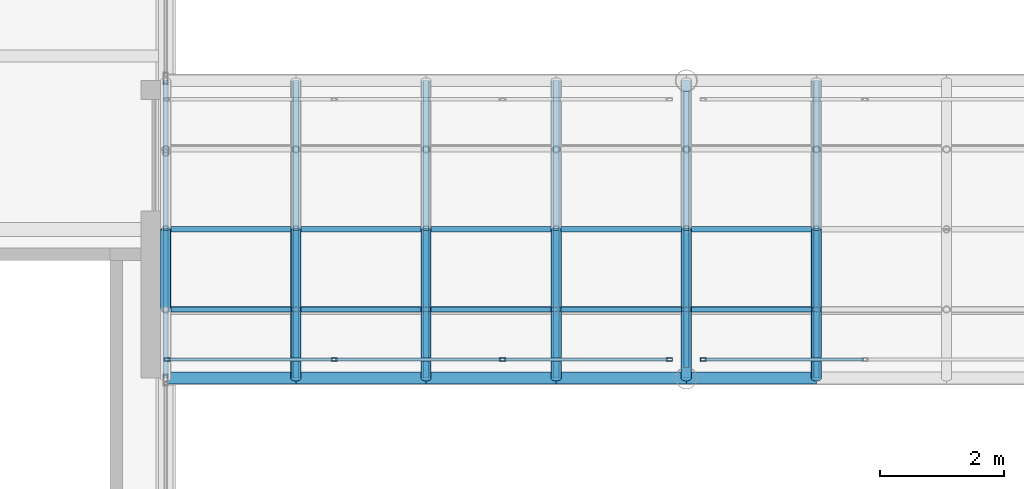
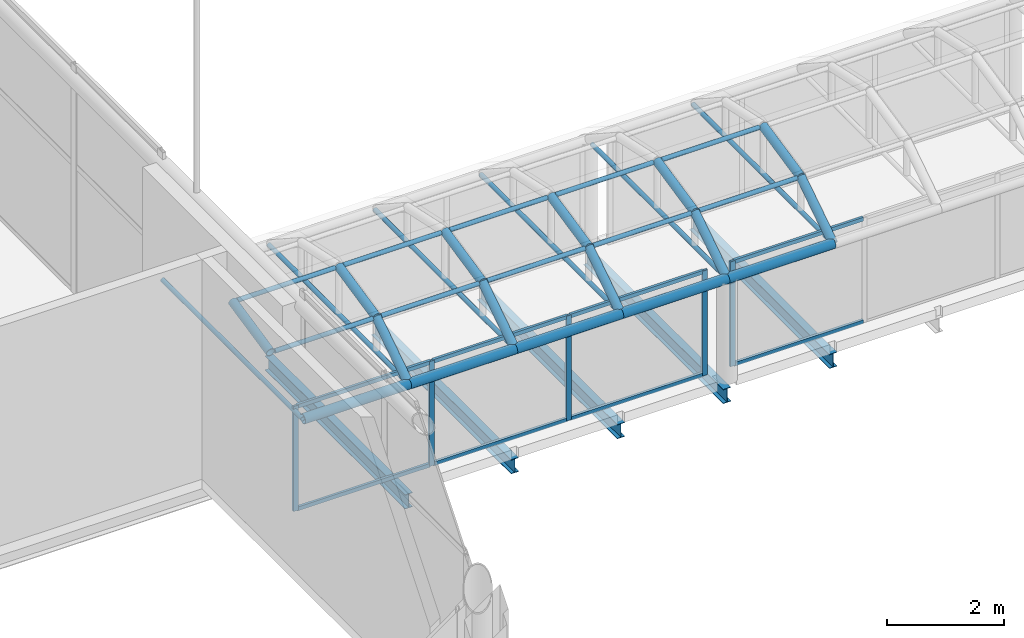
# One storey, part 34 of 167: 39 members, 11 beams, 2 elements without a shape of their own.
"""IFC4 building model written with IfcOpenShell, lengths in metres."""

from ifc_helpers import new_model, si_unit, direction, frame, origin, origin_2d, place, context, subcontext, project, spatial, hollow_rectangle, hollow_circle, i_section, extrude, material, material_profile, profile_set, type_object, element, aggregate, save


model = new_model("IFC4")

# Units and contexts
model_context = context("Model", 3, precision=1e-05, world=origin(), true_north=direction((0.0, 1.0)))
body_context = subcontext(model_context, "Body", "Model", "MODEL_VIEW")
ifc_project = project(units=[si_unit("LENGTHUNIT", "METRE"), si_unit("AREAUNIT", "SQUARE_METRE"), si_unit("VOLUMEUNIT", "CUBIC_METRE"), si_unit("PLANEANGLEUNIT", "RADIAN"), si_unit("MASSUNIT", "GRAM", prefix="KILO")], contexts=[model_context])

# Site, building, storey
site_placement = place(None, origin())
site = spatial("IfcSite", under=ifc_project, at=site_placement, CompositionType="ELEMENT")
building_placement = place(site_placement, origin())
building = spatial("IfcBuilding", under=site, at=building_placement, Name="Catenary Quay Ferry Terminal", CompositionType="ELEMENT")
storey_placement = place(building_placement, frame((0.0, 0.0, 6.0)))
storey = spatial("IfcBuildingStorey", under=building, at=storey_placement, Name="L01", CompositionType="ELEMENT", Elevation=6.0)

# Beams
ifc_material_1 = material(Name="Steel S355", Category="steel")
ifc_material_profile_1 = material_profile(ifc_material_1, i_section(OverallWidth=0.14990234375, OverallDepth=0.300048828125, WebThickness=0.007080078125, FlangeThickness=0.0107421875, at=origin_2d()), Name="IPE 300")
ifc_profile_set_1 = profile_set([ifc_material_profile_1], Name="Steel S355")
beam_type_1 = type_object("IfcBeamType", Name="B2 IPE 300", PredefinedType="BEAM", material=ifc_profile_set_1)
for number, where, z_axis, x_axis, name in (
    (1, (94.5, 73.199951171875, -0.35009765625), (0.0, 1.0, 0.0), (-1.0, 0.0, 0.0), "Beam B2-001"),
    (2, (96.60009765625, 73.199951171875, -0.35009765625), (0.0, 1.0, 0.0), (-1.0, 0.0, 0.0), "Beam B2-002"),
    (3, (98.699951171875, 73.199951171875, -0.35009765625), (0.0, 1.0, 0.0), (-1.0, 0.0, 0.0), "Beam B2-003"),
    (4, (100.800048828125, 73.199951171875, -0.35009765625), (0.0, 1.0, 0.0), (-1.0, 0.0, 0.0), "Beam B2-004"),
    (5, (102.89990234375, 73.199951171875, -0.35009765625), (0.0, 1.0, 0.0), (-1.0, 0.0, 0.0), "Beam B2-005"),
):
    element("IfcBeam", number, at=place(storey_placement, frame(where, z_axis=z_axis, x_axis=x_axis)), inside=storey, type_object=beam_type_1, Name=name, PredefinedType="BEAM", context=body_context, shape_type="SweptSolid", body=[
        extrude(i_section(OverallWidth=0.14990234375, OverallDepth=0.300048828125, WebThickness=0.007080078125, FlangeThickness=0.0107421875, at=origin_2d()), origin(), (0.0, 0.0, 1.0), 4.800048828125),
    ])

# Curtain wall, members
ifc_material_2 = material(Name="Aluminium and glass", Category="aluminium")
curtain_wall_type = type_object("IfcCurtainWallType", Name="CWB", PredefinedType="NOTDEFINED", material=ifc_material_2)
curtain_wall_1_placement = place(storey_placement, origin())
curtain_wall_1 = element("IfcCurtainWall", 6, at=curtain_wall_1_placement, inside=storey, type_object=curtain_wall_type, Name="BB1 curtain wall CW56", PredefinedType="NOTDEFINED")
ifc_material_3 = material(Name="Aluminium", Category="aluminium")
ifc_material_profile_2 = material_profile(ifc_material_3, hollow_rectangle(XDim=0.050048828125, YDim=0.10009765625, WallThickness=0.0048828125, at=origin_2d()), Name="MU1")
ifc_profile_set_2 = profile_set([ifc_material_profile_2], Name="Aluminium")
member_type_1 = type_object("IfcMemberType", Name="MU1", PredefinedType="MULLION", material=ifc_profile_set_2)
member_1_placement = place(storey_placement, frame((92.425048828125, 73.5, 0.0), z_axis=(0.0, 0.0, 1.0), x_axis=(0.0, 1.0, 0.0)))
member_1 = element("IfcMember", 7, at=member_1_placement, type_object=member_type_1, Name="CW56 mullion 1", PredefinedType="MULLION", context=body_context, shape_type="SweptSolid", body=[
    extrude(hollow_rectangle(XDim=0.050048828125, YDim=0.10009765625, WallThickness=0.0048828125, at=origin_2d()), origin(), (0.0, 0.0, 1.0), 2.195068359375),
])
member_2_placement = place(storey_placement, frame((95.11669921875, 73.5, 0.0), z_axis=(0.0, 0.0, 1.0), x_axis=(0.0, 1.0, 0.0)))
member_2 = element("IfcMember", 8, at=member_2_placement, type_object=member_type_1, Name="CW56 mullion 2", PredefinedType="MULLION", context=body_context, shape_type="SweptSolid", body=[
    extrude(hollow_rectangle(XDim=0.050048828125, YDim=0.10009765625, WallThickness=0.0048828125, at=origin_2d()), origin(), (0.0, 0.0, 1.0), 2.195068359375),
])
member_3_placement = place(storey_placement, frame((97.833251953125, 73.5, 0.0), z_axis=(0.0, 0.0, 1.0), x_axis=(0.0, 1.0, 0.0)))
member_3 = element("IfcMember", 9, at=member_3_placement, type_object=member_type_1, Name="CW56 mullion 3", PredefinedType="MULLION", context=body_context, shape_type="SweptSolid", body=[
    extrude(hollow_rectangle(XDim=0.050048828125, YDim=0.10009765625, WallThickness=0.0048828125, at=origin_2d()), origin(), (0.0, 0.0, 1.0), 2.195068359375),
])
member_4_placement = place(storey_placement, frame((100.52490234375, 73.5, 0.0), z_axis=(0.0, 0.0, 1.0), x_axis=(0.0, 1.0, 0.0)))
member_4 = element("IfcMember", 10, at=member_4_placement, type_object=member_type_1, Name="CW56 mullion 4", PredefinedType="MULLION", context=body_context, shape_type="SweptSolid", body=[
    extrude(hollow_rectangle(XDim=0.050048828125, YDim=0.10009765625, WallThickness=0.0048828125, at=origin_2d()), origin(), (0.0, 0.0, 1.0), 2.195068359375),
])

# Curtain wall, member
curtain_wall_2_placement = place(storey_placement, origin())
curtain_wall_2 = element("IfcCurtainWall", 11, at=curtain_wall_2_placement, inside=storey, type_object=curtain_wall_type, Name="BB1 curtain wall CW57", PredefinedType="NOTDEFINED")
member_5_placement = place(storey_placement, frame((101.074951171875, 73.5, 0.0), z_axis=(0.0, 0.0, 1.0), x_axis=(0.0, 1.0, 0.0)))
member_5 = element("IfcMember", 12, at=member_5_placement, type_object=member_type_1, Name="CW57 mullion 1", PredefinedType="MULLION", context=body_context, shape_type="SweptSolid", body=[
    extrude(hollow_rectangle(XDim=0.050048828125, YDim=0.10009765625, WallThickness=0.0048828125, at=origin_2d()), origin(), (0.0, 0.0, 1.0), 2.195068359375),
])

# Members
ifc_material_4 = material(Name="Steel S355", Category="steel")
ifc_material_profile_3 = material_profile(ifc_material_4, hollow_circle(Radius=0.04443359375, WallThickness=0.0048828125, at=origin_2d()), Name="CHS 88.9x5")
ifc_profile_set_3 = profile_set([ifc_material_profile_3], Name="Steel S355")
member_type_2 = type_object("IfcMemberType", Name="PU3 CHS 88.9x5", PredefinedType="PURLIN", material=ifc_profile_set_3)
for number, where, z_axis, x_axis, name in (
    (13, (92.47998046875, 74.30810546875, 2.821044921875), (1.0, 0.0, 0.0), (0.0, 1.0, 0.0), "Purlin PU-RB1-01-01"),
    (14, (92.47998046875, 75.60009765625, 3.10009765625), (1.0, 0.0, 0.0), (0.0, 1.0, 0.0), "Purlin PU-RB1-01-02"),
    (15, (94.580078125, 74.30810546875, 2.821044921875), (1.0, 0.0, 0.0), (0.0, 1.0, 0.0), "Purlin PU-RB1-02-01"),
    (16, (94.580078125, 75.60009765625, 3.10009765625), (1.0, 0.0, 0.0), (0.0, 1.0, 0.0), "Purlin PU-RB1-02-02"),
):
    element("IfcMember", number, at=place(storey_placement, frame(where, z_axis=z_axis, x_axis=x_axis)), inside=storey, type_object=member_type_2, Name=name, PredefinedType="PURLIN", context=body_context, shape_type="SweptSolid", body=[
        extrude(hollow_circle(Radius=0.04443359375, WallThickness=0.0048828125, at=origin_2d()), origin(), (0.0, 0.0, 1.0), 1.93994140625),
    ])
for number, where, z_axis, x_axis, name in (
    (17, (96.679931640625, 74.30810546875, 2.821044921875), (1.0, 0.0, 0.0), (0.0, 1.0, 0.0), "Purlin PU-RB1-03-01"),
    (18, (96.679931640625, 75.60009765625, 3.10009765625), (1.0, 0.0, 0.0), (0.0, 1.0, 0.0), "Purlin PU-RB1-03-02"),
):
    element("IfcMember", number, at=place(storey_placement, frame(where, z_axis=z_axis, x_axis=x_axis)), inside=storey, type_object=member_type_2, Name=name, PredefinedType="PURLIN", context=body_context, shape_type="SweptSolid", body=[
        extrude(hollow_circle(Radius=0.04443359375, WallThickness=0.0048828125, at=origin_2d()), origin(), (0.0, 0.0, 1.0), 1.940185546875),
    ])
for number, where, z_axis, x_axis, name in (
    (19, (98.780029296875, 74.30810546875, 2.821044921875), (1.0, 0.0, 0.0), (0.0, 1.0, 0.0), "Purlin PU-RB1-04-01"),
    (20, (98.780029296875, 75.60009765625, 3.10009765625), (1.0, 0.0, 0.0), (0.0, 1.0, 0.0), "Purlin PU-RB1-04-02"),
):
    element("IfcMember", number, at=place(storey_placement, frame(where, z_axis=z_axis, x_axis=x_axis)), inside=storey, type_object=member_type_2, Name=name, PredefinedType="PURLIN", context=body_context, shape_type="SweptSolid", body=[
        extrude(hollow_circle(Radius=0.04443359375, WallThickness=0.0048828125, at=origin_2d()), origin(), (0.0, 0.0, 1.0), 1.93994140625),
    ])
for number, where, z_axis, x_axis, name in (
    (21, (100.8798828125, 74.30810546875, 2.821044921875), (1.0, 0.0, 0.0), (0.0, 1.0, 0.0), "Purlin PU-RB1-05-01"),
    (22, (100.8798828125, 75.60009765625, 3.10009765625), (1.0, 0.0, 0.0), (0.0, 1.0, 0.0), "Purlin PU-RB1-05-02"),
):
    element("IfcMember", number, at=place(storey_placement, frame(where, z_axis=z_axis, x_axis=x_axis)), inside=storey, type_object=member_type_2, Name=name, PredefinedType="PURLIN", context=body_context, shape_type="SweptSolid", body=[
        extrude(hollow_circle(Radius=0.04443359375, WallThickness=0.0048828125, at=origin_2d()), origin(), (0.0, 0.0, 1.0), 1.940185546875),
    ])

# Beams
ifc_material_5 = material(Name="Steel S355", Category="steel")
ifc_material_profile_4 = material_profile(ifc_material_5, hollow_circle(Radius=0.04443359375, WallThickness=0.0048828125, at=origin_2d()), Name="CHS 88.9x5")
ifc_profile_set_4 = profile_set([ifc_material_profile_4], Name="Steel S355")
beam_type_2 = type_object("IfcBeamType", Name="TB4 CHS 88.9x5", PredefinedType="BEAM", material=ifc_profile_set_4)
for number, where, z_axis, x_axis, name in (
    (23, (92.39990234375, 73.199951171875, 2.10009765625), (0.0, 1.0, 0.0), (-1.0, 0.0, 0.0), "tie beam RB1-01"),
    (24, (94.5, 73.199951171875, 2.10009765625), (0.0, 1.0, 0.0), (-1.0, 0.0, 0.0), "tie beam RB1-02"),
    (25, (96.60009765625, 73.199951171875, 2.10009765625), (0.0, 1.0, 0.0), (-1.0, 0.0, 0.0), "tie beam RB1-03"),
    (26, (98.699951171875, 73.199951171875, 2.10009765625), (0.0, 1.0, 0.0), (-1.0, 0.0, 0.0), "tie beam RB1-04"),
):
    element("IfcBeam", number, at=place(storey_placement, frame(where, z_axis=z_axis, x_axis=x_axis)), inside=storey, type_object=beam_type_2, Name=name, PredefinedType="BEAM", context=body_context, shape_type="SweptSolid", body=[
        extrude(hollow_circle(Radius=0.04443359375, WallThickness=0.0048828125, at=origin_2d()), origin(), (0.0, 0.0, 1.0), 4.800048828125),
    ])
beam_1_placement = place(storey_placement, frame((100.800048828125, 73.3720703125, 2.10009765625), z_axis=(0.0, 1.0, 0.0), x_axis=(-1.0, 0.0, 0.0)))
element("IfcBeam", 27, at=beam_1_placement, inside=storey, type_object=beam_type_2, Name="tie beam RB1-05", PredefinedType="BEAM", context=body_context, shape_type="SweptSolid", body=[
    extrude(hollow_circle(Radius=0.04443359375, WallThickness=0.0048828125, at=origin_2d()), origin(), (0.0, 0.0, 1.0), 4.455810546875),
])
beam_2_placement = place(storey_placement, frame((102.89990234375, 73.199951171875, 2.10009765625), z_axis=(0.0, 1.0, 0.0), x_axis=(-1.0, 0.0, 0.0)))
element("IfcBeam", 28, at=beam_2_placement, inside=storey, type_object=beam_type_2, Name="tie beam RB1-06", PredefinedType="BEAM", context=body_context, shape_type="SweptSolid", body=[
    extrude(hollow_circle(Radius=0.04443359375, WallThickness=0.0048828125, at=origin_2d()), origin(), (0.0, 0.0, 1.0), 4.800048828125),
])

# Members
ifc_material_6 = material(Name="Steel S355", Category="steel")
ifc_material_profile_5 = material_profile(ifc_material_6, hollow_circle(Radius=0.096923828125, WallThickness=0.010009765625, at=origin_2d()), Name="CHS 193.7x10")
ifc_profile_set_5 = profile_set([ifc_material_profile_5], Name="Steel S355")
member_type_3 = type_object("IfcMemberType", Name="TC2 CHS 193.7x10", PredefinedType="CHORD", material=ifc_profile_set_5)
for number, where, z_axis, x_axis, name in (
    (29, (92.39990234375, 73.199951171875, 2.10009765625), (1.0, 0.0, 0.0), (0.0, 1.0, 0.0), "Bridge top chord BB1S-TC01"),
    (30, (94.5, 73.199951171875, 2.10009765625), (1.0, 0.0, 0.0), (0.0, 1.0, 0.0), "Bridge top chord BB1S-TC02"),
):
    element("IfcMember", number, at=place(storey_placement, frame(where, z_axis=z_axis, x_axis=x_axis)), inside=storey, type_object=member_type_3, Name=name, PredefinedType="CHORD", context=body_context, shape_type="SweptSolid", body=[
        extrude(hollow_circle(Radius=0.096923828125, WallThickness=0.010009765625, at=origin_2d()), origin(), (0.0, 0.0, 1.0), 2.10009765625),
    ])
member_6_placement = place(storey_placement, frame((96.60009765625, 73.199951171875, 2.10009765625), z_axis=(1.0, 0.0, 0.0), x_axis=(0.0, 1.0, 0.0)))
element("IfcMember", 31, at=member_6_placement, inside=storey, type_object=member_type_3, Name="Bridge top chord BB1S-TC03", PredefinedType="CHORD", context=body_context, shape_type="SweptSolid", body=[
    extrude(hollow_circle(Radius=0.096923828125, WallThickness=0.010009765625, at=origin_2d()), origin(), (0.0, 0.0, 1.0), 2.099853515625),
])
member_7_placement = place(storey_placement, frame((98.699951171875, 73.199951171875, 2.10009765625), z_axis=(1.0, 0.0, 0.0), x_axis=(0.0, 1.0, 0.0)))
element("IfcMember", 32, at=member_7_placement, inside=storey, type_object=member_type_3, Name="Bridge top chord BB1S-TC04", PredefinedType="CHORD", context=body_context, shape_type="SweptSolid", body=[
    extrude(hollow_circle(Radius=0.096923828125, WallThickness=0.010009765625, at=origin_2d()), origin(), (0.0, 0.0, 1.0), 2.10009765625),
])
member_8_placement = place(storey_placement, frame((100.800048828125, 73.199951171875, 2.10009765625), z_axis=(1.0, 0.0, 0.0), x_axis=(0.0, 1.0, 0.0)))
element("IfcMember", 33, at=member_8_placement, inside=storey, type_object=member_type_3, Name="Bridge top chord BB1S-TC05", PredefinedType="CHORD", context=body_context, shape_type="SweptSolid", body=[
    extrude(hollow_circle(Radius=0.096923828125, WallThickness=0.010009765625, at=origin_2d()), origin(), (0.0, 0.0, 1.0), 2.099853515625),
])

# Member
ifc_material_7 = material(Name="Aluminium", Category="aluminium")
ifc_material_profile_6 = material_profile(ifc_material_7, hollow_rectangle(XDim=0.050048828125, YDim=0.080078125, WallThickness=0.00390625, at=origin_2d()), Name="TR1")
ifc_profile_set_6 = profile_set([ifc_material_profile_6], Name="Aluminium")
member_type_4 = type_object("IfcMemberType", Name="TR1", PredefinedType="USERDEFINED", material=ifc_profile_set_6)
member_9_placement = place(storey_placement, frame((92.449951171875, 73.5, 0.02490234375), z_axis=(1.0, 0.0, 0.0), x_axis=(0.0, 1.0, 0.0)))
member_9 = element("IfcMember", 34, at=member_9_placement, type_object=member_type_4, Name="CW56 transom 1.1", ObjectType="TRANSOM", PredefinedType="USERDEFINED", context=body_context, shape_type="SweptSolid", body=[
    extrude(hollow_rectangle(XDim=0.050048828125, YDim=0.080078125, WallThickness=0.00390625, at=origin_2d()), origin(), (0.0, 0.0, 1.0), 2.6416015625),
])

member_10_placement = place(storey_placement, frame((92.449951171875, 73.5, 2.169921875), z_axis=(1.0, 0.0, 0.0), x_axis=(0.0, 1.0, 0.0)))
member_10 = element("IfcMember", 35, at=member_10_placement, type_object=member_type_4, Name="CW56 transom 1.2", ObjectType="TRANSOM", PredefinedType="USERDEFINED", context=body_context, shape_type="SweptSolid", body=[
    extrude(hollow_rectangle(XDim=0.050048828125, YDim=0.080078125, WallThickness=0.00390625, at=origin_2d()), origin(), (0.0, 0.0, 1.0), 2.6416015625),
])

member_11_placement = place(storey_placement, frame((95.1416015625, 73.5, 0.02490234375), z_axis=(1.0, 0.0, 0.0), x_axis=(0.0, 1.0, 0.0)))
member_11 = element("IfcMember", 36, at=member_11_placement, type_object=member_type_4, Name="CW56 transom 2.1", ObjectType="TRANSOM", PredefinedType="USERDEFINED", context=body_context, shape_type="SweptSolid", body=[
    extrude(hollow_rectangle(XDim=0.050048828125, YDim=0.080078125, WallThickness=0.00390625, at=origin_2d()), origin(), (0.0, 0.0, 1.0), 2.666748046875),
])

member_12_placement = place(storey_placement, frame((95.1416015625, 73.5, 2.169921875), z_axis=(1.0, 0.0, 0.0), x_axis=(0.0, 1.0, 0.0)))
member_12 = element("IfcMember", 37, at=member_12_placement, type_object=member_type_4, Name="CW56 transom 2.2", ObjectType="TRANSOM", PredefinedType="USERDEFINED", context=body_context, shape_type="SweptSolid", body=[
    extrude(hollow_rectangle(XDim=0.050048828125, YDim=0.080078125, WallThickness=0.00390625, at=origin_2d()), origin(), (0.0, 0.0, 1.0), 2.666748046875),
])

member_13_placement = place(storey_placement, frame((97.8583984375, 73.5, 0.02490234375), z_axis=(1.0, 0.0, 0.0), x_axis=(0.0, 1.0, 0.0)))
member_13 = element("IfcMember", 38, at=member_13_placement, type_object=member_type_4, Name="CW56 transom 3.1", ObjectType="TRANSOM", PredefinedType="USERDEFINED", context=body_context, shape_type="SweptSolid", body=[
    extrude(hollow_rectangle(XDim=0.050048828125, YDim=0.080078125, WallThickness=0.00390625, at=origin_2d()), origin(), (0.0, 0.0, 1.0), 2.6416015625),
])

member_14_placement = place(storey_placement, frame((97.8583984375, 73.5, 2.169921875), z_axis=(1.0, 0.0, 0.0), x_axis=(0.0, 1.0, 0.0)))
member_14 = element("IfcMember", 39, at=member_14_placement, type_object=member_type_4, Name="CW56 transom 3.2", ObjectType="TRANSOM", PredefinedType="USERDEFINED", context=body_context, shape_type="SweptSolid", body=[
    extrude(hollow_rectangle(XDim=0.050048828125, YDim=0.080078125, WallThickness=0.00390625, at=origin_2d()), origin(), (0.0, 0.0, 1.0), 2.6416015625),
])

aggregate(curtain_wall_1, [member_1, member_2, member_3, member_4, member_9, member_10, member_11, member_12, member_13, member_14])

member_15_placement = place(storey_placement, frame((101.10009765625, 73.5, 0.02490234375), z_axis=(1.0, 0.0, 0.0), x_axis=(0.0, 1.0, 0.0)))
member_15 = element("IfcMember", 40, at=member_15_placement, type_object=member_type_4, Name="CW57 transom 1.1", ObjectType="TRANSOM", PredefinedType="USERDEFINED", context=body_context, shape_type="SweptSolid", body=[
    extrude(hollow_rectangle(XDim=0.050048828125, YDim=0.080078125, WallThickness=0.00390625, at=origin_2d()), origin(), (0.0, 0.0, 1.0), 2.558349609375),
])

member_16_placement = place(storey_placement, frame((101.10009765625, 73.5, 2.169921875), z_axis=(1.0, 0.0, 0.0), x_axis=(0.0, 1.0, 0.0)))
member_16 = element("IfcMember", 41, at=member_16_placement, type_object=member_type_4, Name="CW57 transom 1.2", ObjectType="TRANSOM", PredefinedType="USERDEFINED", context=body_context, shape_type="SweptSolid", body=[
    extrude(hollow_rectangle(XDim=0.050048828125, YDim=0.080078125, WallThickness=0.00390625, at=origin_2d()), origin(), (0.0, 0.0, 1.0), 2.558349609375),
])

aggregate(curtain_wall_2, [member_5, member_15, member_16])

# Members
ifc_material_8 = material(Name="Steel S355", Category="steel")
ifc_material_profile_7 = material_profile(ifc_material_8, hollow_circle(Radius=0.084228515625, WallThickness=0.008056640625, at=origin_2d()), Name="CHS 168.3x8")
ifc_profile_set_7 = profile_set([ifc_material_profile_7], Name="Steel S355")
member_type_5 = type_object("IfcMemberType", Name="VR4 CHS 168.3x8", PredefinedType="RAFTER", material=ifc_profile_set_7)
member_17_placement = place(storey_placement, frame((92.39990234375, 74.30810546875, 2.821044921875), z_axis=(0.0, 0.977460543774, 0.211118178672), x_axis=(-1.0, 0.0, 0.0)))
element("IfcMember", 42, at=member_17_placement, inside=storey, type_object=member_type_5, Name="rib RB1-01-02", PredefinedType="RAFTER", context=body_context, shape_type="SweptSolid", body=[
    extrude(hollow_circle(Radius=0.084228515625, WallThickness=0.008056640625, at=origin_2d()), origin(), (0.0, 0.0, 1.0), 1.32177734375),
])
member_18_placement = place(storey_placement, frame((94.5, 73.199951171875, 2.10009765625), z_axis=(0.0, 0.838219928753, 0.545332330823), x_axis=(-1.0, 0.0, 0.0)))
element("IfcMember", 43, at=member_18_placement, inside=storey, type_object=member_type_5, Name="rib RB1-02-01", PredefinedType="RAFTER", context=body_context, shape_type="SweptSolid", body=[
    extrude(hollow_circle(Radius=0.084228515625, WallThickness=0.008056640625, at=origin_2d()), origin(), (0.0, 0.0, 1.0), 1.322021484375),
])
member_19_placement = place(storey_placement, frame((94.5, 74.30810546875, 2.821044921875), z_axis=(0.0, 0.977460543774, 0.211118178672), x_axis=(-1.0, 0.0, 0.0)))
element("IfcMember", 44, at=member_19_placement, inside=storey, type_object=member_type_5, Name="rib RB1-02-02", PredefinedType="RAFTER", context=body_context, shape_type="SweptSolid", body=[
    extrude(hollow_circle(Radius=0.084228515625, WallThickness=0.008056640625, at=origin_2d()), origin(), (0.0, 0.0, 1.0), 1.32177734375),
])
member_20_placement = place(storey_placement, frame((96.60009765625, 73.199951171875, 2.10009765625), z_axis=(0.0, 0.838219928753, 0.545332330823), x_axis=(-1.0, 0.0, 0.0)))
element("IfcMember", 45, at=member_20_placement, inside=storey, type_object=member_type_5, Name="rib RB1-03-01", PredefinedType="RAFTER", context=body_context, shape_type="SweptSolid", body=[
    extrude(hollow_circle(Radius=0.084228515625, WallThickness=0.008056640625, at=origin_2d()), origin(), (0.0, 0.0, 1.0), 1.322021484375),
])
member_21_placement = place(storey_placement, frame((96.60009765625, 74.30810546875, 2.821044921875), z_axis=(0.0, 0.977460543774, 0.211118178672), x_axis=(-1.0, 0.0, 0.0)))
element("IfcMember", 46, at=member_21_placement, inside=storey, type_object=member_type_5, Name="rib RB1-03-02", PredefinedType="RAFTER", context=body_context, shape_type="SweptSolid", body=[
    extrude(hollow_circle(Radius=0.084228515625, WallThickness=0.008056640625, at=origin_2d()), origin(), (0.0, 0.0, 1.0), 1.32177734375),
])
member_22_placement = place(storey_placement, frame((98.699951171875, 73.199951171875, 2.10009765625), z_axis=(0.0, 0.838219928753, 0.545332330823), x_axis=(-1.0, 0.0, 0.0)))
element("IfcMember", 47, at=member_22_placement, inside=storey, type_object=member_type_5, Name="rib RB1-04-01", PredefinedType="RAFTER", context=body_context, shape_type="SweptSolid", body=[
    extrude(hollow_circle(Radius=0.084228515625, WallThickness=0.008056640625, at=origin_2d()), origin(), (0.0, 0.0, 1.0), 1.322021484375),
])
member_23_placement = place(storey_placement, frame((98.699951171875, 74.30810546875, 2.821044921875), z_axis=(0.0, 0.977460543774, 0.211118178672), x_axis=(-1.0, 0.0, 0.0)))
element("IfcMember", 48, at=member_23_placement, inside=storey, type_object=member_type_5, Name="rib RB1-04-02", PredefinedType="RAFTER", context=body_context, shape_type="SweptSolid", body=[
    extrude(hollow_circle(Radius=0.084228515625, WallThickness=0.008056640625, at=origin_2d()), origin(), (0.0, 0.0, 1.0), 1.32177734375),
])
member_24_placement = place(storey_placement, frame((100.800048828125, 73.199951171875, 2.10009765625), z_axis=(0.0, 0.838219928753, 0.545332330823), x_axis=(-1.0, 0.0, 0.0)))
element("IfcMember", 49, at=member_24_placement, inside=storey, type_object=member_type_5, Name="rib RB1-05-01", PredefinedType="RAFTER", context=body_context, shape_type="SweptSolid", body=[
    extrude(hollow_circle(Radius=0.084228515625, WallThickness=0.008056640625, at=origin_2d()), origin(), (0.0, 0.0, 1.0), 1.322021484375),
])
member_25_placement = place(storey_placement, frame((100.800048828125, 74.30810546875, 2.821044921875), z_axis=(0.0, 0.977460543774, 0.211118178672), x_axis=(-1.0, 0.0, 0.0)))
element("IfcMember", 50, at=member_25_placement, inside=storey, type_object=member_type_5, Name="rib RB1-05-02", PredefinedType="RAFTER", context=body_context, shape_type="SweptSolid", body=[
    extrude(hollow_circle(Radius=0.084228515625, WallThickness=0.008056640625, at=origin_2d()), origin(), (0.0, 0.0, 1.0), 1.32177734375),
])
member_26_placement = place(storey_placement, frame((102.89990234375, 73.199951171875, 2.10009765625), z_axis=(0.0, 0.838219928753, 0.545332330823), x_axis=(-1.0, 0.0, 0.0)))
element("IfcMember", 51, at=member_26_placement, inside=storey, type_object=member_type_5, Name="rib RB1-06-01", PredefinedType="RAFTER", context=body_context, shape_type="SweptSolid", body=[
    extrude(hollow_circle(Radius=0.084228515625, WallThickness=0.008056640625, at=origin_2d()), origin(), (0.0, 0.0, 1.0), 1.322021484375),
])
member_27_placement = place(storey_placement, frame((102.89990234375, 74.30810546875, 2.821044921875), z_axis=(0.0, 0.977460543774, 0.211118178672), x_axis=(-1.0, 0.0, 0.0)))
element("IfcMember", 52, at=member_27_placement, inside=storey, type_object=member_type_5, Name="rib RB1-06-02", PredefinedType="RAFTER", context=body_context, shape_type="SweptSolid", body=[
    extrude(hollow_circle(Radius=0.084228515625, WallThickness=0.008056640625, at=origin_2d()), origin(), (0.0, 0.0, 1.0), 1.32177734375),
])

save(model, "model.ifc")
